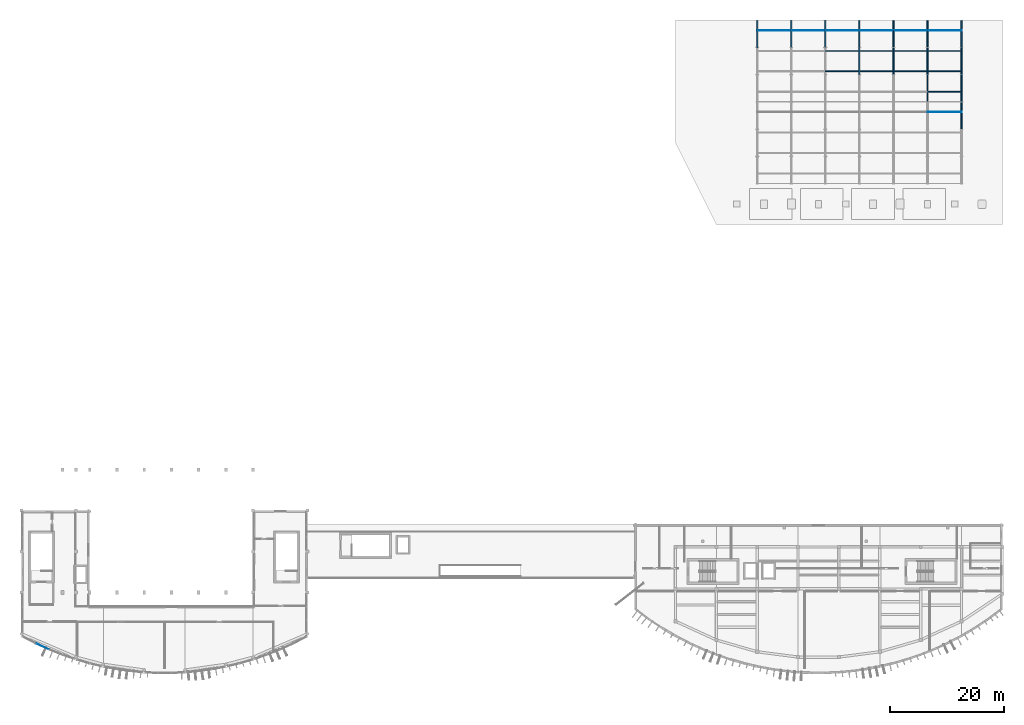
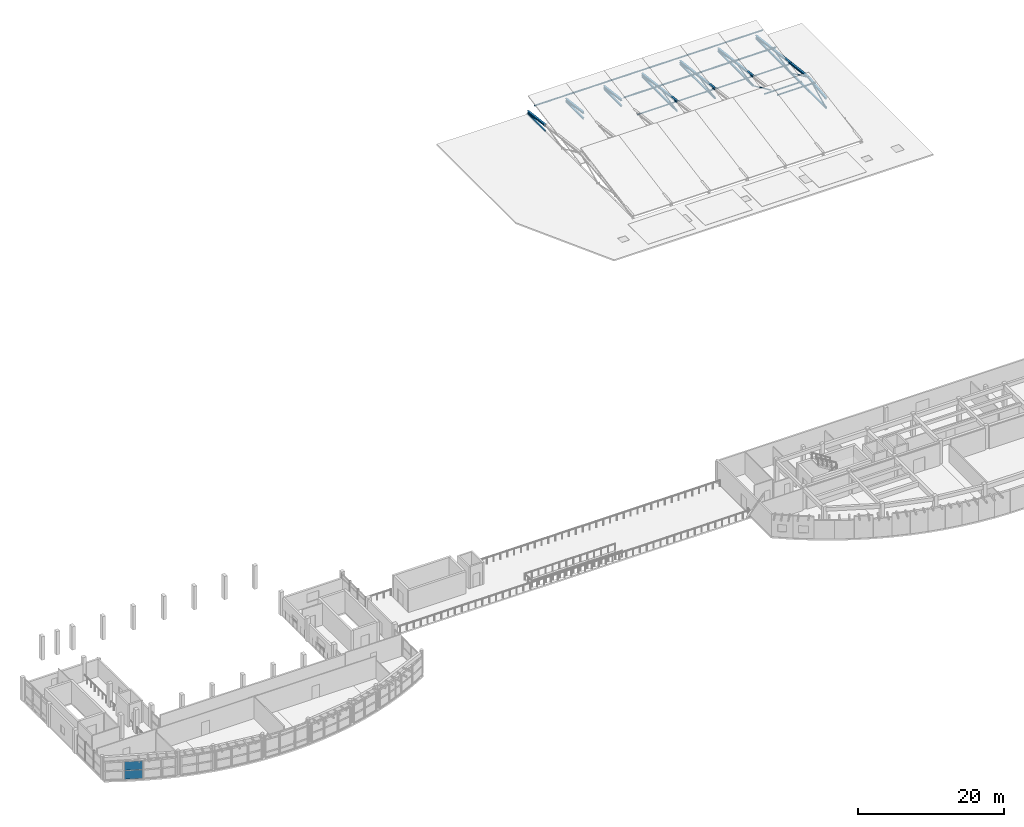
# One storey, part 10 of 32: 56 members, 2 plates, 1 element without a shape of its own.
"""IFC4 building model written with IfcOpenShell, lengths in metres."""

from ifc_helpers import new_model, si_unit, direction, frame, origin, origin_2d, place, context, subcontext, project, spatial, rectangle, hollow_rectangle, hollow_circle, i_section, extrude, material, layer, layer_set, material_profile, profile_set, type_object, element, aggregate, save


model = new_model("IFC4")

# Units and contexts
model_context = context("Model", 3, precision=1e-05, world=origin(), true_north=direction((0.0, 1.0)))
body_context = subcontext(model_context, "Body", "Model", "MODEL_VIEW")
ifc_project = project(units=[si_unit("LENGTHUNIT", "METRE"), si_unit("AREAUNIT", "SQUARE_METRE"), si_unit("VOLUMEUNIT", "CUBIC_METRE"), si_unit("PLANEANGLEUNIT", "RADIAN"), si_unit("MASSUNIT", "GRAM", prefix="KILO")], contexts=[model_context])

# Site, building, storey
site_placement = place(None, origin())
site = spatial("IfcSite", under=ifc_project, at=site_placement, CompositionType="ELEMENT")
building_placement = place(site_placement, origin())
building = spatial("IfcBuilding", under=site, at=building_placement, Name="Brisavento Harbour Community Centre", CompositionType="ELEMENT")
storey_placement = place(building_placement, frame((0.0, 0.0, 12.89990234375)))
storey = spatial("IfcBuildingStorey", under=building, at=storey_placement, Name="L03", CompositionType="ELEMENT", Elevation=12.89990234375)

# Members
ifc_material_1 = material(Name="Steel S355", Category="steel")
ifc_material_profile_1 = material_profile(ifc_material_1, hollow_circle(Radius=0.084228515625, WallThickness=0.008056640625, at=origin_2d()), Name="Steel S355")
ifc_profile_set_1 = profile_set([ifc_material_profile_1], Name="Steel S355")
member_type_1 = type_object("IfcMemberType", Name="MEM-BRC-CHS168", PredefinedType="BRACE", material=ifc_profile_set_1)
member_1_placement = place(storey_placement, frame((141.60009765625, 110.39990234375, 1.0), z_axis=(0.0, 0.978980833987, -0.203952265704), x_axis=(-1.0, 0.0, 0.0)))
element("IfcMember", 1, at=member_1_placement, inside=storey, type_object=member_type_1, Name="Sports Hall truss 3 diagonal 6", PredefinedType="BRACE", context=body_context, shape_type="SweptSolid", body=[
    extrude(hollow_circle(Radius=0.084228515625, WallThickness=0.008056640625, at=origin_2d()), origin(), (0.0, 0.0, 1.0), 4.903076171875),
])
member_2_placement = place(storey_placement, frame((147.60009765625, 105.60009765625, 0.0), z_axis=(0.0, 0.978978762618, 0.203962208122), x_axis=(-1.0, 0.0, 0.0)))
element("IfcMember", 2, at=member_2_placement, inside=storey, type_object=member_type_1, Name="Sports Hall truss 4 diagonal 5", PredefinedType="BRACE", context=body_context, shape_type="SweptSolid", body=[
    extrude(hollow_circle(Radius=0.084228515625, WallThickness=0.008056640625, at=origin_2d()), origin(), (0.0, 0.0, 1.0), 4.90283203125),
])
member_3_placement = place(storey_placement, frame((165.60009765625, 110.39990234375, 1.0), z_axis=(0.0, 0.978980833987, -0.203952265704), x_axis=(-1.0, 0.0, 0.0)))
element("IfcMember", 3, at=member_3_placement, inside=storey, type_object=member_type_1, Name="Sports Hall truss 7 diagonal 6", PredefinedType="BRACE", context=body_context, shape_type="SweptSolid", body=[
    extrude(hollow_circle(Radius=0.084228515625, WallThickness=0.008056640625, at=origin_2d()), origin(), (0.0, 0.0, 1.0), 4.903076171875),
])
ifc_material_profile_2 = material_profile(ifc_material_1, hollow_circle(Radius=0.096923828125, WallThickness=0.010009765625, at=origin_2d()), Name="Steel S355")
ifc_profile_set_2 = profile_set([ifc_material_profile_2], Name="Steel S355")
member_type_2 = type_object("IfcMemberType", Name="MEM-BRC-CHS193", PredefinedType="BRACE", material=ifc_profile_set_2)
member_4_placement = place(storey_placement, frame((147.60009765625, 110.39990234375, 1.0), z_axis=(0.0, 0.978980833987, -0.203952265704), x_axis=(-1.0, 0.0, 0.0)))
element("IfcMember", 4, at=member_4_placement, inside=storey, type_object=member_type_2, Name="Sports Hall truss 4 diagonal 6", PredefinedType="BRACE", context=body_context, shape_type="SweptSolid", body=[
    extrude(hollow_circle(Radius=0.096923828125, WallThickness=0.010009765625, at=origin_2d()), origin(), (0.0, 0.0, 1.0), 4.903076171875),
])
member_5_placement = place(storey_placement, frame((153.60009765625, 105.60009765625, 0.0), z_axis=(0.0, 0.978978762618, 0.203962208122), x_axis=(-1.0, 0.0, 0.0)))
element("IfcMember", 5, at=member_5_placement, inside=storey, type_object=member_type_2, Name="Sports Hall truss 5 diagonal 5", PredefinedType="BRACE", context=body_context, shape_type="SweptSolid", body=[
    extrude(hollow_circle(Radius=0.096923828125, WallThickness=0.010009765625, at=origin_2d()), origin(), (0.0, 0.0, 1.0), 4.90283203125),
])
for number, where, z_axis, x_axis, name in (
    (6, (159.60009765625, 100.800048828125, 2.2001953125), (0.0, 0.909052417623, -0.416681775475), (-1.0, 0.0, 0.0), "Sports Hall truss 6 diagonal 4"),
    (7, (165.60009765625, 96.0, 0.0), (0.0, 0.909052417623, 0.416681775475), (-1.0, 0.0, 0.0), "Sports Hall truss 7 diagonal 3"),
):
    element("IfcMember", number, at=place(storey_placement, frame(where, z_axis=z_axis, x_axis=x_axis)), inside=storey, type_object=member_type_2, Name=name, PredefinedType="BRACE", context=body_context, shape_type="SweptSolid", body=[
        extrude(hollow_circle(Radius=0.096923828125, WallThickness=0.010009765625, at=origin_2d()), origin(), (0.0, 0.0, 1.0), 5.2802734375),
    ])
ifc_material_profile_3 = material_profile(ifc_material_1, hollow_rectangle(XDim=0.10009765625, YDim=0.14990234375, WallThickness=0.008056640625, at=origin_2d()), Name="Steel S355")
ifc_profile_set_3 = profile_set([ifc_material_profile_3], Name="Steel S355")
member_type_3 = type_object("IfcMemberType", Name="MEM-BRC-RHS150", PredefinedType="BRACE", material=ifc_profile_set_3)
for number, where, z_axis, x_axis, name in (
    (8, (129.60009765625, 110.39990234375, 1.0), (0.0, 0.978980833987, -0.203952265704), (-1.0, 0.0, 0.0), "Sports Hall truss 1 diagonal 6"),
    (9, (153.60009765625, 110.39990234375, 1.0), (0.0, 0.978980833987, -0.203952265704), (-1.0, 0.0, 0.0), "Sports Hall truss 5 diagonal 6"),
):
    element("IfcMember", number, at=place(storey_placement, frame(where, z_axis=z_axis, x_axis=x_axis)), inside=storey, type_object=member_type_3, Name=name, PredefinedType="BRACE", context=body_context, shape_type="SweptSolid", body=[
        extrude(hollow_rectangle(XDim=0.10009765625, YDim=0.14990234375, WallThickness=0.008056640625, at=origin_2d()), origin(), (0.0, 0.0, 1.0), 4.903076171875),
    ])
member_6_placement = place(storey_placement, frame((159.60009765625, 105.60009765625, 0.0), z_axis=(0.0, 0.978978762618, 0.203962208122), x_axis=(-1.0, 0.0, 0.0)))
element("IfcMember", 10, at=member_6_placement, inside=storey, type_object=member_type_3, Name="Sports Hall truss 6 diagonal 5", PredefinedType="BRACE", context=body_context, shape_type="SweptSolid", body=[
    extrude(hollow_rectangle(XDim=0.10009765625, YDim=0.14990234375, WallThickness=0.008056640625, at=origin_2d()), origin(), (0.0, 0.0, 1.0), 4.90283203125),
])
member_7_placement = place(storey_placement, frame((165.60009765625, 100.800048828125, 2.2001953125), z_axis=(0.0, 0.909052417623, -0.416681775475), x_axis=(-1.0, 0.0, 0.0)))
element("IfcMember", 11, at=member_7_placement, inside=storey, type_object=member_type_3, Name="Sports Hall truss 7 diagonal 4", PredefinedType="BRACE", context=body_context, shape_type="SweptSolid", body=[
    extrude(hollow_rectangle(XDim=0.10009765625, YDim=0.14990234375, WallThickness=0.008056640625, at=origin_2d()), origin(), (0.0, 0.0, 1.0), 5.2802734375),
])
ifc_material_profile_4 = material_profile(ifc_material_1, hollow_rectangle(XDim=0.14990234375, YDim=0.14990234375, WallThickness=0.008056640625, at=origin_2d()), Name="Steel S355")
ifc_profile_set_4 = profile_set([ifc_material_profile_4], Name="Steel S355")
member_type_4 = type_object("IfcMemberType", Name="MEM-BRC-SHS150", PredefinedType="BRACE", material=ifc_profile_set_4)
for number, where, z_axis, x_axis, name in (
    (12, (135.60009765625, 110.39990234375, 1.0), (0.0, 0.978980833987, -0.203952265704), (-1.0, 0.0, 0.0), "Sports Hall truss 2 diagonal 6"),
    (13, (159.60009765625, 110.39990234375, 1.0), (0.0, 0.978980833987, -0.203952265704), (-1.0, 0.0, 0.0), "Sports Hall truss 6 diagonal 6"),
):
    element("IfcMember", number, at=place(storey_placement, frame(where, z_axis=z_axis, x_axis=x_axis)), inside=storey, type_object=member_type_4, Name=name, PredefinedType="BRACE", context=body_context, shape_type="SweptSolid", body=[
        extrude(hollow_rectangle(XDim=0.14990234375, YDim=0.14990234375, WallThickness=0.008056640625, at=origin_2d()), origin(), (0.0, 0.0, 1.0), 4.903076171875),
    ])
member_8_placement = place(storey_placement, frame((165.60009765625, 105.60009765625, 0.0), z_axis=(0.0, 0.978978762618, 0.203962208122), x_axis=(-1.0, 0.0, 0.0)))
element("IfcMember", 14, at=member_8_placement, inside=storey, type_object=member_type_4, Name="Sports Hall truss 7 diagonal 5", PredefinedType="BRACE", context=body_context, shape_type="SweptSolid", body=[
    extrude(hollow_rectangle(XDim=0.14990234375, YDim=0.14990234375, WallThickness=0.008056640625, at=origin_2d()), origin(), (0.0, 0.0, 1.0), 4.90283203125),
])
ifc_material_profile_5 = material_profile(ifc_material_1, i_section(OverallWidth=0.239990234375, OverallDepth=0.22998046875, WebThickness=0.007568359375, FlangeThickness=0.011962890625, FilletRadius=0.02099609375, at=origin_2d()), Name="Steel S355")
ifc_profile_set_5 = profile_set([ifc_material_profile_5], Name="Steel S355")
member_type_5 = type_object("IfcMemberType", Name="MEM-CHD-HEA240", PredefinedType="CHORD", material=ifc_profile_set_5)
for number, where, z_axis, x_axis, name in (
    (15, (129.60009765625, 110.39990234375, 0.0), (0.0, 1.0, 0.0), (-1.0, 0.0, 0.0), "Sports Hall truss 1 bottom chord 6"),
    (16, (135.60009765625, 110.39990234375, 0.0), (0.0, 1.0, 0.0), (-1.0, 0.0, 0.0), "Sports Hall truss 2 bottom chord 6"),
    (17, (141.60009765625, 110.39990234375, 0.0), (0.0, 1.0, 0.0), (-1.0, 0.0, 0.0), "Sports Hall truss 3 bottom chord 6"),
):
    element("IfcMember", number, at=place(storey_placement, frame(where, z_axis=z_axis, x_axis=x_axis)), inside=storey, type_object=member_type_5, Name=name, PredefinedType="CHORD", context=body_context, shape_type="SweptSolid", body=[
        extrude(i_section(OverallWidth=0.239990234375, OverallDepth=0.22998046875, WebThickness=0.007568359375, FlangeThickness=0.011962890625, FilletRadius=0.02099609375, at=origin_2d()), origin(), (0.0, 0.0, 1.0), 4.800048828125),
    ])
member_9_placement = place(storey_placement, frame((147.60009765625, 105.60009765625, 0.0), z_axis=(0.0, 1.0, 0.0), x_axis=(-1.0, 0.0, 0.0)))
element("IfcMember", 18, at=member_9_placement, inside=storey, type_object=member_type_5, Name="Sports Hall truss 4 bottom chord 5", PredefinedType="CHORD", context=body_context, shape_type="SweptSolid", body=[
    extrude(i_section(OverallWidth=0.239990234375, OverallDepth=0.22998046875, WebThickness=0.007568359375, FlangeThickness=0.011962890625, FilletRadius=0.02099609375, at=origin_2d()), origin(), (0.0, 0.0, 1.0), 4.7998046875),
])
member_10_placement = place(storey_placement, frame((147.60009765625, 110.39990234375, 0.0), z_axis=(0.0, 1.0, 0.0), x_axis=(-1.0, 0.0, 0.0)))
element("IfcMember", 19, at=member_10_placement, inside=storey, type_object=member_type_5, Name="Sports Hall truss 4 bottom chord 6", PredefinedType="CHORD", context=body_context, shape_type="SweptSolid", body=[
    extrude(i_section(OverallWidth=0.239990234375, OverallDepth=0.22998046875, WebThickness=0.007568359375, FlangeThickness=0.011962890625, FilletRadius=0.02099609375, at=origin_2d()), origin(), (0.0, 0.0, 1.0), 4.800048828125),
])
member_11_placement = place(storey_placement, frame((153.60009765625, 105.60009765625, 0.0), z_axis=(0.0, 1.0, 0.0), x_axis=(-1.0, 0.0, 0.0)))
element("IfcMember", 20, at=member_11_placement, inside=storey, type_object=member_type_5, Name="Sports Hall truss 5 bottom chord 5", PredefinedType="CHORD", context=body_context, shape_type="SweptSolid", body=[
    extrude(i_section(OverallWidth=0.239990234375, OverallDepth=0.22998046875, WebThickness=0.007568359375, FlangeThickness=0.011962890625, FilletRadius=0.02099609375, at=origin_2d()), origin(), (0.0, 0.0, 1.0), 4.7998046875),
])
member_12_placement = place(storey_placement, frame((153.60009765625, 110.39990234375, 0.0), z_axis=(0.0, 1.0, 0.0), x_axis=(-1.0, 0.0, 0.0)))
element("IfcMember", 21, at=member_12_placement, inside=storey, type_object=member_type_5, Name="Sports Hall truss 5 bottom chord 6", PredefinedType="CHORD", context=body_context, shape_type="SweptSolid", body=[
    extrude(i_section(OverallWidth=0.239990234375, OverallDepth=0.22998046875, WebThickness=0.007568359375, FlangeThickness=0.011962890625, FilletRadius=0.02099609375, at=origin_2d()), origin(), (0.0, 0.0, 1.0), 4.800048828125),
])
member_13_placement = place(storey_placement, frame((159.60009765625, 105.60009765625, 0.0), z_axis=(0.0, 1.0, 0.0), x_axis=(-1.0, 0.0, 0.0)))
element("IfcMember", 22, at=member_13_placement, inside=storey, type_object=member_type_5, Name="Sports Hall truss 6 bottom chord 5", PredefinedType="CHORD", context=body_context, shape_type="SweptSolid", body=[
    extrude(i_section(OverallWidth=0.239990234375, OverallDepth=0.22998046875, WebThickness=0.007568359375, FlangeThickness=0.011962890625, FilletRadius=0.02099609375, at=origin_2d()), origin(), (0.0, 0.0, 1.0), 4.7998046875),
])
for number, where, z_axis, x_axis, name in (
    (23, (159.60009765625, 110.39990234375, 0.0), (0.0, 1.0, 0.0), (-1.0, 0.0, 0.0), "Sports Hall truss 6 bottom chord 6"),
    (24, (165.60009765625, 96.0, 0.0), (0.0, 1.0, 0.0), (-1.0, 0.0, 0.0), "Sports Hall truss 7 bottom chord 3"),
    (25, (165.60009765625, 100.800048828125, 0.0), (0.0, 1.0, 0.0), (-1.0, 0.0, 0.0), "Sports Hall truss 7 bottom chord 4"),
):
    element("IfcMember", number, at=place(storey_placement, frame(where, z_axis=z_axis, x_axis=x_axis)), inside=storey, type_object=member_type_5, Name=name, PredefinedType="CHORD", context=body_context, shape_type="SweptSolid", body=[
        extrude(i_section(OverallWidth=0.239990234375, OverallDepth=0.22998046875, WebThickness=0.007568359375, FlangeThickness=0.011962890625, FilletRadius=0.02099609375, at=origin_2d()), origin(), (0.0, 0.0, 1.0), 4.800048828125),
    ])
member_14_placement = place(storey_placement, frame((165.60009765625, 105.60009765625, 0.0), z_axis=(0.0, 1.0, 0.0), x_axis=(-1.0, 0.0, 0.0)))
element("IfcMember", 26, at=member_14_placement, inside=storey, type_object=member_type_5, Name="Sports Hall truss 7 bottom chord 5", PredefinedType="CHORD", context=body_context, shape_type="SweptSolid", body=[
    extrude(i_section(OverallWidth=0.239990234375, OverallDepth=0.22998046875, WebThickness=0.007568359375, FlangeThickness=0.011962890625, FilletRadius=0.02099609375, at=origin_2d()), origin(), (0.0, 0.0, 1.0), 4.7998046875),
])
member_15_placement = place(storey_placement, frame((165.60009765625, 110.39990234375, 0.0), z_axis=(0.0, 1.0, 0.0), x_axis=(-1.0, 0.0, 0.0)))
element("IfcMember", 27, at=member_15_placement, inside=storey, type_object=member_type_5, Name="Sports Hall truss 7 bottom chord 6", PredefinedType="CHORD", context=body_context, shape_type="SweptSolid", body=[
    extrude(i_section(OverallWidth=0.239990234375, OverallDepth=0.22998046875, WebThickness=0.007568359375, FlangeThickness=0.011962890625, FilletRadius=0.02099609375, at=origin_2d()), origin(), (0.0, 0.0, 1.0), 4.800048828125),
])
ifc_material_profile_6 = material_profile(ifc_material_1, i_section(OverallWidth=0.300048828125, OverallDepth=0.2900390625, WebThickness=0.008544921875, FlangeThickness=0.013916015625, FilletRadius=0.027099609375, at=origin_2d()), Name="Steel S355")
ifc_profile_set_6 = profile_set([ifc_material_profile_6], Name="Steel S355")
member_type_6 = type_object("IfcMemberType", Name="MEM-CHD-HEA300", PredefinedType="CHORD", material=ifc_profile_set_6)
for number, where, z_axis, x_axis, name in (
    (28, (129.60009765625, 110.39990234375, 1.0), (0.0, 0.9922817585, -0.124003676346), (-1.0, 0.0, 0.0), "Sports Hall truss 1 top chord 6"),
    (29, (135.60009765625, 110.39990234375, 1.0), (0.0, 0.9922817585, -0.124003676346), (-1.0, 0.0, 0.0), "Sports Hall truss 2 top chord 6"),
    (30, (141.60009765625, 110.39990234375, 1.0), (0.0, 0.9922817585, -0.124003676346), (-1.0, 0.0, 0.0), "Sports Hall truss 3 top chord 6"),
):
    element("IfcMember", number, at=place(storey_placement, frame(where, z_axis=z_axis, x_axis=x_axis)), inside=storey, type_object=member_type_6, Name=name, PredefinedType="CHORD", context=body_context, shape_type="SweptSolid", body=[
        extrude(i_section(OverallWidth=0.300048828125, OverallDepth=0.2900390625, WebThickness=0.008544921875, FlangeThickness=0.013916015625, FilletRadius=0.027099609375, at=origin_2d()), origin(), (0.0, 0.0, 1.0), 4.83740234375),
    ])
member_16_placement = place(storey_placement, frame((147.60009765625, 105.60009765625, 1.60009765625), z_axis=(0.0, 0.992274770448, -0.124059582185), x_axis=(-1.0, 0.0, 0.0)))
element("IfcMember", 31, at=member_16_placement, inside=storey, type_object=member_type_6, Name="Sports Hall truss 4 top chord 5", PredefinedType="CHORD", context=body_context, shape_type="SweptSolid", body=[
    extrude(i_section(OverallWidth=0.300048828125, OverallDepth=0.2900390625, WebThickness=0.008544921875, FlangeThickness=0.013916015625, FilletRadius=0.027099609375, at=origin_2d()), origin(), (0.0, 0.0, 1.0), 4.837158203125),
])
member_17_placement = place(storey_placement, frame((147.60009765625, 110.39990234375, 1.0), z_axis=(0.0, 0.9922817585, -0.124003676346), x_axis=(-1.0, 0.0, 0.0)))
element("IfcMember", 32, at=member_17_placement, inside=storey, type_object=member_type_6, Name="Sports Hall truss 4 top chord 6", PredefinedType="CHORD", context=body_context, shape_type="SweptSolid", body=[
    extrude(i_section(OverallWidth=0.300048828125, OverallDepth=0.2900390625, WebThickness=0.008544921875, FlangeThickness=0.013916015625, FilletRadius=0.027099609375, at=origin_2d()), origin(), (0.0, 0.0, 1.0), 4.83740234375),
])
member_18_placement = place(storey_placement, frame((153.60009765625, 105.60009765625, 1.60009765625), z_axis=(0.0, 0.992274770448, -0.124059582185), x_axis=(-1.0, 0.0, 0.0)))
element("IfcMember", 33, at=member_18_placement, inside=storey, type_object=member_type_6, Name="Sports Hall truss 5 top chord 5", PredefinedType="CHORD", context=body_context, shape_type="SweptSolid", body=[
    extrude(i_section(OverallWidth=0.300048828125, OverallDepth=0.2900390625, WebThickness=0.008544921875, FlangeThickness=0.013916015625, FilletRadius=0.027099609375, at=origin_2d()), origin(), (0.0, 0.0, 1.0), 4.837158203125),
])
member_19_placement = place(storey_placement, frame((153.60009765625, 110.39990234375, 1.0), z_axis=(0.0, 0.9922817585, -0.124003676346), x_axis=(-1.0, 0.0, 0.0)))
element("IfcMember", 34, at=member_19_placement, inside=storey, type_object=member_type_6, Name="Sports Hall truss 5 top chord 6", PredefinedType="CHORD", context=body_context, shape_type="SweptSolid", body=[
    extrude(i_section(OverallWidth=0.300048828125, OverallDepth=0.2900390625, WebThickness=0.008544921875, FlangeThickness=0.013916015625, FilletRadius=0.027099609375, at=origin_2d()), origin(), (0.0, 0.0, 1.0), 4.83740234375),
])
member_20_placement = place(storey_placement, frame((159.60009765625, 105.60009765625, 1.60009765625), z_axis=(0.0, 0.992274770448, -0.124059582185), x_axis=(-1.0, 0.0, 0.0)))
element("IfcMember", 35, at=member_20_placement, inside=storey, type_object=member_type_6, Name="Sports Hall truss 6 top chord 5", PredefinedType="CHORD", context=body_context, shape_type="SweptSolid", body=[
    extrude(i_section(OverallWidth=0.300048828125, OverallDepth=0.2900390625, WebThickness=0.008544921875, FlangeThickness=0.013916015625, FilletRadius=0.027099609375, at=origin_2d()), origin(), (0.0, 0.0, 1.0), 4.837158203125),
])
for number, where, z_axis, x_axis, name in (
    (36, (159.60009765625, 110.39990234375, 1.0), (0.0, 0.9922817585, -0.124003676346), (-1.0, 0.0, 0.0), "Sports Hall truss 6 top chord 6"),
    (37, (165.60009765625, 96.0, 1.60009765625), (0.0, 0.99227554719, 0.12405336936), (-1.0, 0.0, 0.0), "Sports Hall truss 7 top chord 3"),
    (38, (165.60009765625, 100.800048828125, 2.2001953125), (0.0, 0.99227554719, -0.12405336936), (-1.0, 0.0, 0.0), "Sports Hall truss 7 top chord 4"),
):
    element("IfcMember", number, at=place(storey_placement, frame(where, z_axis=z_axis, x_axis=x_axis)), inside=storey, type_object=member_type_6, Name=name, PredefinedType="CHORD", context=body_context, shape_type="SweptSolid", body=[
        extrude(i_section(OverallWidth=0.300048828125, OverallDepth=0.2900390625, WebThickness=0.008544921875, FlangeThickness=0.013916015625, FilletRadius=0.027099609375, at=origin_2d()), origin(), (0.0, 0.0, 1.0), 4.83740234375),
    ])
member_21_placement = place(storey_placement, frame((165.60009765625, 105.60009765625, 1.60009765625), z_axis=(0.0, 0.992274770448, -0.124059582185), x_axis=(-1.0, 0.0, 0.0)))
element("IfcMember", 39, at=member_21_placement, inside=storey, type_object=member_type_6, Name="Sports Hall truss 7 top chord 5", PredefinedType="CHORD", context=body_context, shape_type="SweptSolid", body=[
    extrude(i_section(OverallWidth=0.300048828125, OverallDepth=0.2900390625, WebThickness=0.008544921875, FlangeThickness=0.013916015625, FilletRadius=0.027099609375, at=origin_2d()), origin(), (0.0, 0.0, 1.0), 4.837158203125),
])
member_22_placement = place(storey_placement, frame((165.60009765625, 110.39990234375, 1.0), z_axis=(0.0, 0.9922817585, -0.124003676346), x_axis=(-1.0, 0.0, 0.0)))
element("IfcMember", 40, at=member_22_placement, inside=storey, type_object=member_type_6, Name="Sports Hall truss 7 top chord 6", PredefinedType="CHORD", context=body_context, shape_type="SweptSolid", body=[
    extrude(i_section(OverallWidth=0.300048828125, OverallDepth=0.2900390625, WebThickness=0.008544921875, FlangeThickness=0.013916015625, FilletRadius=0.027099609375, at=origin_2d()), origin(), (0.0, 0.0, 1.0), 4.83740234375),
])
ifc_material_profile_7 = material_profile(ifc_material_1, i_section(OverallWidth=0.08203125, OverallDepth=0.159912109375, WebThickness=0.0048828125, FlangeThickness=0.00732421875, FilletRadius=0.009033203125, at=origin_2d()), Name="Steel S355")
ifc_profile_set_7 = profile_set([ifc_material_profile_7], Name="Steel S355")
member_type_7 = type_object("IfcMemberType", Name="MEM-PUR-IPE160", PredefinedType="PURLIN", material=ifc_profile_set_7)
for number, where, z_axis, x_axis, name in (
    (41, (129.60009765625, 113.39990234375, 2.458984375), (1.0, 0.0, 0.0), (0.0, 1.0, 0.0), "Sports Hall steel roof purlin 1.2.4"),
    (42, (135.60009765625, 113.39990234375, 2.458984375), (1.0, 0.0, 0.0), (0.0, 1.0, 0.0), "Sports Hall steel roof purlin 2.2.4"),
    (43, (141.60009765625, 113.39990234375, 2.458984375), (1.0, 0.0, 0.0), (0.0, 1.0, 0.0), "Sports Hall steel roof purlin 3.2.4"),
    (44, (147.60009765625, 113.39990234375, 2.458984375), (1.0, 0.0, 0.0), (0.0, 1.0, 0.0), "Sports Hall steel roof purlin 4.2.4"),
    (45, (153.60009765625, 113.39990234375, 2.458984375), (1.0, 0.0, 0.0), (0.0, 1.0, 0.0), "Sports Hall steel roof purlin 5.2.4"),
    (46, (159.60009765625, 99.0, 2.458984375), (1.0, 0.0, 0.0), (0.0, 1.0, 0.0), "Sports Hall steel roof purlin 6.1.4"),
    (47, (159.60009765625, 113.39990234375, 2.458984375), (1.0, 0.0, 0.0), (0.0, 1.0, 0.0), "Sports Hall steel roof purlin 6.2.4"),
):
    element("IfcMember", number, at=place(storey_placement, frame(where, z_axis=z_axis, x_axis=x_axis)), inside=storey, type_object=member_type_7, Name=name, PredefinedType="PURLIN", context=body_context, shape_type="SweptSolid", body=[
        extrude(i_section(OverallWidth=0.08203125, OverallDepth=0.159912109375, WebThickness=0.0048828125, FlangeThickness=0.00732421875, FilletRadius=0.009033203125, at=origin_2d()), origin(), (0.0, 0.0, 1.0), 6.0),
    ])
ifc_material_profile_8 = material_profile(ifc_material_1, i_section(OverallWidth=0.091064453125, OverallDepth=0.179931640625, WebThickness=0.00537109375, FlangeThickness=0.008056640625, FilletRadius=0.009033203125, at=origin_2d()), Name="Steel S355")
ifc_profile_set_8 = profile_set([ifc_material_profile_8], Name="Steel S355")
member_type_8 = type_object("IfcMemberType", Name="MEM-PUR-IPE180", PredefinedType="PURLIN", material=ifc_profile_set_8)
for number, where, z_axis, x_axis, name in (
    (48, (141.60009765625, 109.800048828125, 1.786376953125), (1.0, 0.0, 0.0), (0.0, 1.0, 0.0), "Sports Hall steel roof purlin 3.2.3"),
    (49, (147.60009765625, 109.800048828125, 1.786376953125), (1.0, 0.0, 0.0), (0.0, 1.0, 0.0), "Sports Hall steel roof purlin 4.2.3"),
    (50, (153.60009765625, 109.800048828125, 1.786376953125), (1.0, 0.0, 0.0), (0.0, 1.0, 0.0), "Sports Hall steel roof purlin 5.2.3"),
    (51, (159.60009765625, 109.800048828125, 1.786376953125), (1.0, 0.0, 0.0), (0.0, 1.0, 0.0), "Sports Hall steel roof purlin 6.2.3"),
):
    element("IfcMember", number, at=place(storey_placement, frame(where, z_axis=z_axis, x_axis=x_axis)), inside=storey, type_object=member_type_8, Name=name, PredefinedType="PURLIN", context=body_context, shape_type="SweptSolid", body=[
        extrude(i_section(OverallWidth=0.091064453125, OverallDepth=0.179931640625, WebThickness=0.00537109375, FlangeThickness=0.008056640625, FilletRadius=0.009033203125, at=origin_2d()), origin(), (0.0, 0.0, 1.0), 6.0),
    ])
ifc_material_profile_9 = material_profile(ifc_material_1, i_section(OverallWidth=0.10009765625, OverallDepth=0.199951171875, WebThickness=0.005615234375, FlangeThickness=0.008544921875, FilletRadius=0.011962890625, at=origin_2d()), Name="Steel S355")
ifc_profile_set_9 = profile_set([ifc_material_profile_9], Name="Steel S355")
member_type_9 = type_object("IfcMemberType", Name="MEM-PUR-IPE200", PredefinedType="PURLIN", material=ifc_profile_set_9)
for number, where, z_axis, x_axis, name in (
    (52, (141.60009765625, 106.199951171875, 1.114013671875), (1.0, 0.0, 0.0), (0.0, 1.0, 0.0), "Sports Hall steel roof purlin 3.2.2"),
    (53, (147.60009765625, 106.199951171875, 1.114013671875), (1.0, 0.0, 0.0), (0.0, 1.0, 0.0), "Sports Hall steel roof purlin 4.2.2"),
    (54, (153.60009765625, 106.199951171875, 1.114013671875), (1.0, 0.0, 0.0), (0.0, 1.0, 0.0), "Sports Hall steel roof purlin 5.2.2"),
    (55, (159.60009765625, 106.199951171875, 1.114013671875), (1.0, 0.0, 0.0), (0.0, 1.0, 0.0), "Sports Hall steel roof purlin 6.2.2"),
):
    element("IfcMember", number, at=place(storey_placement, frame(where, z_axis=z_axis, x_axis=x_axis)), inside=storey, type_object=member_type_9, Name=name, PredefinedType="PURLIN", context=body_context, shape_type="SweptSolid", body=[
        extrude(i_section(OverallWidth=0.10009765625, OverallDepth=0.199951171875, WebThickness=0.005615234375, FlangeThickness=0.008544921875, FilletRadius=0.011962890625, at=origin_2d()), origin(), (0.0, 0.0, 1.0), 6.0),
    ])
ifc_material_profile_10 = material_profile(ifc_material_1, i_section(OverallWidth=0.110107421875, OverallDepth=0.219970703125, WebThickness=0.005859375, FlangeThickness=0.00927734375, FilletRadius=0.011962890625, at=origin_2d()), Name="Steel S355")
ifc_profile_set_10 = profile_set([ifc_material_profile_10], Name="Steel S355")
member_type_10 = type_object("IfcMemberType", Name="MEM-PUR-IPE220", PredefinedType="PURLIN", material=ifc_profile_set_10)
member_23_placement = place(storey_placement, frame((159.60009765625, 102.60009765625, 0.44140625), z_axis=(1.0, 0.0, 0.0), x_axis=(0.0, 1.0, 0.0)))
element("IfcMember", 56, at=member_23_placement, inside=storey, type_object=member_type_10, Name="Sports Hall steel roof purlin 6.2.1", PredefinedType="PURLIN", context=body_context, shape_type="SweptSolid", body=[
    extrude(i_section(OverallWidth=0.110107421875, OverallDepth=0.219970703125, WebThickness=0.005859375, FlangeThickness=0.00927734375, FilletRadius=0.011962890625, at=origin_2d()), origin(), (0.0, 0.0, 1.0), 6.0),
])

# Curtain wall, plates
ifc_material_2 = material(Name="Marine-anodised aluminium AW-6063-T6", Category="aluminium")
ifc_layer_1 = layer(ifc_material_2, 0.179931640625, Name="Marine-anodised aluminium AW-6063-T6")
ifc_layer_set_1 = layer_set([ifc_layer_1], Name="Marine-anodised aluminium AW-6063-T6")
curtain_wall_type = type_object("IfcCurtainWallType", Name="CW-SYS-13", PredefinedType="USERDEFINED", material=ifc_layer_set_1)
curtain_wall_placement = place(storey_placement, origin())
curtain_wall = element("IfcCurtainWall", 57, at=curtain_wall_placement, inside=storey, type_object=curtain_wall_type, Name="L03 V1 unitised curtain wall 153", ObjectType="UNITISED CURTAIN WALL", PredefinedType="USERDEFINED")
ifc_material_3 = material(Name="Solar-control laminated low-E glass", Category="glass")
ifc_layer_2 = layer(ifc_material_3, 0.031982421875, Name="Solar-control laminated low-E glass")
ifc_layer_set_2 = layer_set([ifc_layer_2], Name="Solar-control laminated low-E glass")
plate_type = type_object("IfcPlateType", Name="CWP-GLZ-3", PredefinedType="CURTAIN_PANEL", material=ifc_layer_set_2)
plate_1_placement = place(storey_placement, frame((3.6748046875, 4.880615234375, 0.06494140625), z_axis=(0.0, 0.0, 1.0), x_axis=(-0.909597727846, 0.415490040189, 0.0)))
plate_1 = element("IfcPlate", 58, at=plate_1_placement, type_object=plate_type, Name="CW-13 panel 1.1", PredefinedType="CURTAIN_PANEL", context=body_context, shape_type="SweptSolid", body=[
    extrude(rectangle(XDim=2.472412109375, YDim=0.031982421875, at=origin_2d()), origin(), (0.0, 0.0, 1.0), 1.4326171875),
])
plate_2_placement = place(storey_placement, frame((3.6748046875, 4.880615234375, 1.5625), z_axis=(0.0, 0.0, 1.0), x_axis=(-0.909597727846, 0.415490040189, 0.0)))
plate_2 = element("IfcPlate", 59, at=plate_2_placement, type_object=plate_type, Name="CW-13 panel 1.2", PredefinedType="CURTAIN_PANEL", context=body_context, shape_type="SweptSolid", body=[
    extrude(rectangle(XDim=2.472412109375, YDim=0.031982421875, at=origin_2d()), origin(), (0.0, 0.0, 1.0), 1.4326171875),
])
aggregate(curtain_wall, [plate_1, plate_2])

save(model, "model.ifc")
